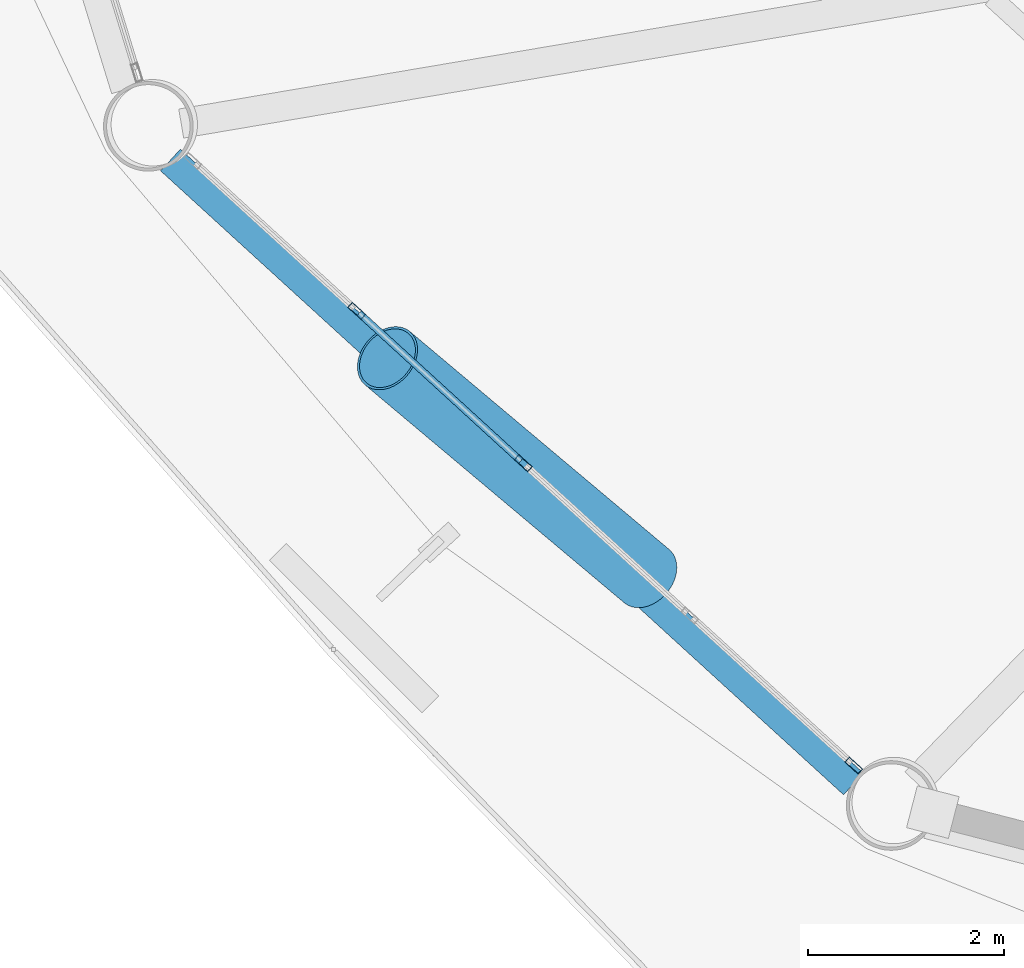
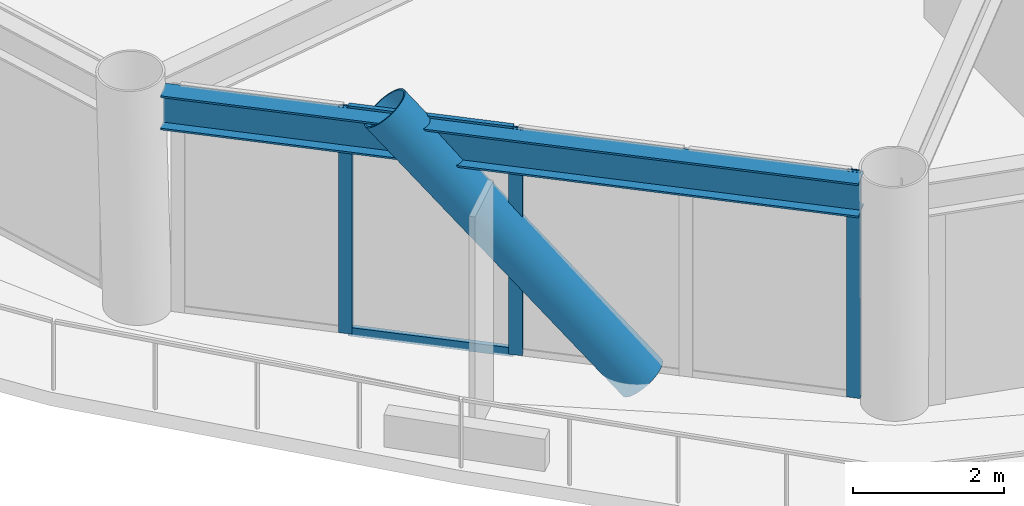
# One storey, part 2 of 24: 6 members, 1 beam, 1 element without a shape of its own.
"""IFC4 building model written with IfcOpenShell, lengths in metres."""

from ifc_helpers import new_model, si_unit, direction, frame, origin, origin_2d, place, context, subcontext, project, spatial, hollow_rectangle, hollow_circle, i_section, extrude, material, layer, layer_set, material_profile, profile_set, type_object, element, aggregate, save


model = new_model("IFC4")

# Units and contexts
model_context = context("Model", 3, precision=1e-05, world=origin(), true_north=direction((0.0, 1.0)))
body_context = subcontext(model_context, "Body", "Model", "MODEL_VIEW")
ifc_project = project(units=[si_unit("LENGTHUNIT", "METRE"), si_unit("AREAUNIT", "SQUARE_METRE"), si_unit("VOLUMEUNIT", "CUBIC_METRE"), si_unit("PLANEANGLEUNIT", "RADIAN"), si_unit("MASSUNIT", "GRAM", prefix="KILO")], contexts=[model_context])

# Site, building, storey
site_placement = place(None, origin())
site = spatial("IfcSite", under=ifc_project, at=site_placement, CompositionType="ELEMENT")
building_placement = place(site_placement, origin())
building = spatial("IfcBuilding", under=site, at=building_placement, Name="Varnakorn Sky Granary", CompositionType="ELEMENT")
storey_placement = place(building_placement, frame((0.0, 0.0, 43.199951171875)))
storey = spatial("IfcBuildingStorey", under=building, at=storey_placement, Name="L10", CompositionType="ELEMENT", Elevation=43.199951171875)

# Beam
ifc_material_1 = material(Name="Steel S355JR", Category="steel")
ifc_material_profile_1 = material_profile(ifc_material_1, i_section(OverallWidth=0.300048828125, OverallDepth=0.550048828125, WebThickness=0.014892578125, FlangeThickness=0.029052734375, at=origin_2d()), Name="HE 550 B")
ifc_profile_set_1 = profile_set([ifc_material_profile_1], Name="Steel S355JR")
beam_type = type_object("IfcBeamType", Name="BM-SPD-Z1", PredefinedType="SPANDREL", material=ifc_profile_set_1)
beam_placement = place(storey_placement, frame((-19.199951171875, -9.8056640625, 3.364990234375), z_axis=(0.738303405407, -0.674468740243, 0.0), x_axis=(0.674468740243, 0.738303405407, 0.0)))
element("IfcBeam", 1, at=beam_placement, inside=storey, type_object=beam_type, Name="Perimeter Spandrel Ring Beam RB08 L10", PredefinedType="SPANDREL", context=body_context, shape_type="SweptSolid", body=[
    extrude(i_section(OverallWidth=0.300048828125, OverallDepth=0.550048828125, WebThickness=0.014892578125, FlangeThickness=0.029052734375, at=origin_2d()), origin(), (0.0, 0.0, 1.0), 9.435302734375),
])

# Curtain wall, members
ifc_material_2 = material(Name="Anodised Bronze Aluminium Alloy 6063-T6", Category="aluminium")
ifc_layer = layer(ifc_material_2, 0.18994140625, Name="Anodised Bronze Aluminium Alloy 6063-T6")
ifc_layer_set = layer_set([ifc_layer], Name="Anodised Bronze Aluminium Alloy 6063-T6")
curtain_wall_type = type_object("IfcCurtainWallType", Name="CW-FRM-1", PredefinedType="USERDEFINED", material=ifc_layer_set)
curtain_wall_placement = place(storey_placement, origin())
curtain_wall = element("IfcCurtainWall", 2, at=curtain_wall_placement, inside=storey, type_object=curtain_wall_type, Name="Unitised Curtain Wall CW3 CW-L10-B08", ObjectType="CURTAIN WALL", PredefinedType="USERDEFINED")
ifc_material_profile_2 = material_profile(ifc_material_2, hollow_rectangle(XDim=0.070068359375, YDim=0.18505859375, WallThickness=0.00390625, at=origin_2d()), Name="ALU MULL 70x185")
ifc_profile_set_2 = profile_set([ifc_material_profile_2], Name="Anodised Bronze Aluminium Alloy 6063-T6")
member_type_1 = type_object("IfcMemberType", Name="CW-FRM-1-MULL", PredefinedType="MULLION", material=ifc_profile_set_2)
member_1_placement = place(storey_placement, frame((-12.230712890625, -15.9814453125, 0.0), z_axis=(0.0, 0.0, 1.0), x_axis=(-0.674903389306, -0.737906101821, 0.0)))
member_1 = element("IfcMember", 3, at=member_1_placement, type_object=member_type_1, Name="CW3 mullion 1", PredefinedType="MULLION", context=body_context, shape_type="SweptSolid", body=[
    extrude(hollow_rectangle(XDim=0.070068359375, YDim=0.18505859375, WallThickness=0.00390625, at=origin_2d()), origin(), (0.0, 0.0, 1.0), 3.64013671875),
])
member_2_placement = place(storey_placement, frame((-15.60205078125, -12.89794921875, 0.0), z_axis=(0.0, 0.0, 1.0), x_axis=(-0.674903389306, -0.737906101821, 0.0)))
member_2 = element("IfcMember", 4, at=member_2_placement, type_object=member_type_1, Name="CW3 mullion 3", PredefinedType="MULLION", context=body_context, shape_type="SweptSolid", body=[
    extrude(hollow_rectangle(XDim=0.070068359375, YDim=0.18505859375, WallThickness=0.00390625, at=origin_2d()), origin(), (0.0, 0.0, 1.0), 3.64013671875),
])
member_3_placement = place(storey_placement, frame((-17.30078125, -11.344482421875, 0.0), z_axis=(0.0, 0.0, 1.0), x_axis=(-0.674903389306, -0.737906101821, 0.0)))
member_3 = element("IfcMember", 5, at=member_3_placement, type_object=member_type_1, Name="CW3 mullion 4", PredefinedType="MULLION", context=body_context, shape_type="SweptSolid", body=[
    extrude(hollow_rectangle(XDim=0.070068359375, YDim=0.18505859375, WallThickness=0.00390625, at=origin_2d()), origin(), (0.0, 0.0, 1.0), 3.64013671875),
])
ifc_material_profile_3 = material_profile(ifc_material_2, hollow_rectangle(XDim=0.070068359375, YDim=0.139892578125, WallThickness=0.00341796875, at=origin_2d()), Name="ALU TRAN 70x140")
ifc_profile_set_3 = profile_set([ifc_material_profile_3], Name="Anodised Bronze Aluminium Alloy 6063-T6")
member_type_2 = type_object("IfcMemberType", Name="CW-FRM-1-TRAN", PredefinedType="USERDEFINED", material=ifc_profile_set_3)
member_4_placement = place(storey_placement, frame((-15.6279296875, -12.874267578125, 0.03515625), z_axis=(-0.737961879028, 0.674842400196, 0.0), x_axis=(-0.674842400196, -0.737961879028, 0.0)))
member_4 = element("IfcMember", 6, at=member_4_placement, type_object=member_type_2, Name="CW3 transom 3.1", ObjectType="TRANSOM", PredefinedType="USERDEFINED", context=body_context, shape_type="SweptSolid", body=[
    extrude(hollow_rectangle(XDim=0.070068359375, YDim=0.139892578125, WallThickness=0.00341796875, at=origin_2d()), origin(), (0.0, 0.0, 1.0), 2.231689453125),
])
member_5_placement = place(storey_placement, frame((-15.6279296875, -12.874267578125, 3.60498046875), z_axis=(-0.737961879028, 0.674842400196, 0.0), x_axis=(-0.674842400196, -0.737961879028, 0.0)))
member_5 = element("IfcMember", 7, at=member_5_placement, type_object=member_type_2, Name="CW3 transom 3.2", ObjectType="TRANSOM", PredefinedType="USERDEFINED", context=body_context, shape_type="SweptSolid", body=[
    extrude(hollow_rectangle(XDim=0.070068359375, YDim=0.139892578125, WallThickness=0.00341796875, at=origin_2d()), origin(), (0.0, 0.0, 1.0), 2.231689453125),
])
aggregate(curtain_wall, [member_1, member_2, member_3, member_4, member_5])

# Member
ifc_material_3 = material(Name="Steel S460M", Category="steel")
ifc_material_profile_4 = material_profile(ifc_material_3, hollow_circle(Radius=0.35546875, WallThickness=0.02490234375, at=origin_2d()), Name="CHS 711x25")
ifc_profile_set_4 = profile_set([ifc_material_profile_4], Name="Steel S460M")
member_type_3 = type_object("IfcMemberType", Name="MB-DIAG-T0", PredefinedType="BRACE", material=ifc_profile_set_4)
member_6_placement = place(storey_placement, frame((-14.342529296875, -14.050048828125, -0.1298828125), z_axis=(-0.506105740274, 0.425407317833, 0.750257018358), x_axis=(-0.643439022977, -0.765497370152, 0.0)))
element("IfcMember", 8, at=member_6_placement, inside=storey, type_object=member_type_3, Name="Perimeter CHS Diagrid Brace DG08 L10", PredefinedType="BRACE", context=body_context, shape_type="SweptSolid", body=[
    extrude(hollow_circle(Radius=0.35546875, WallThickness=0.02490234375, at=origin_2d()), origin(), (0.0, 0.0, 1.0), 5.224853515625),
])

save(model, "model.ifc")
